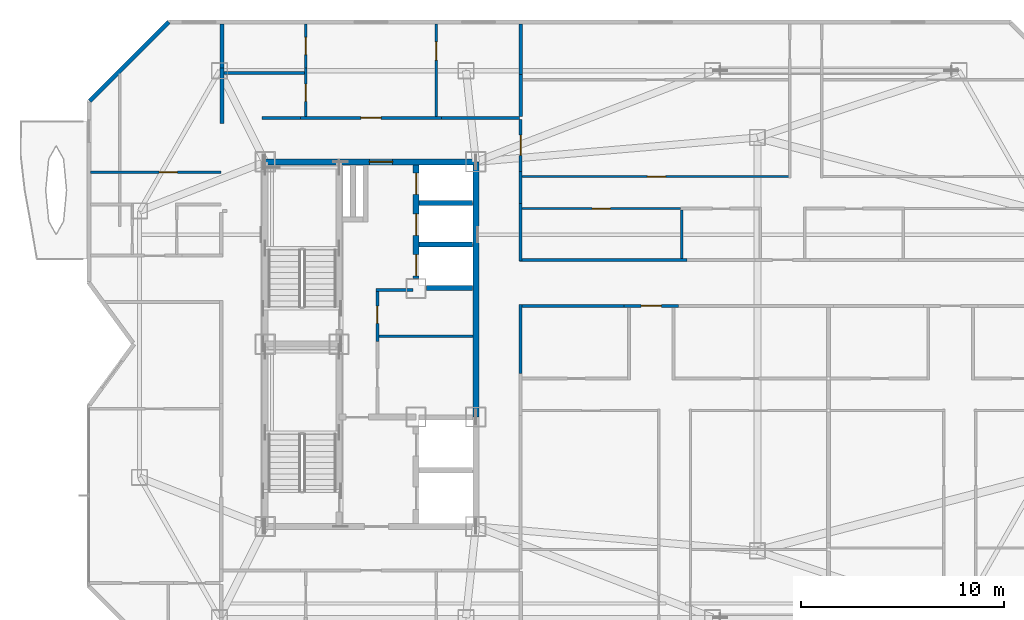
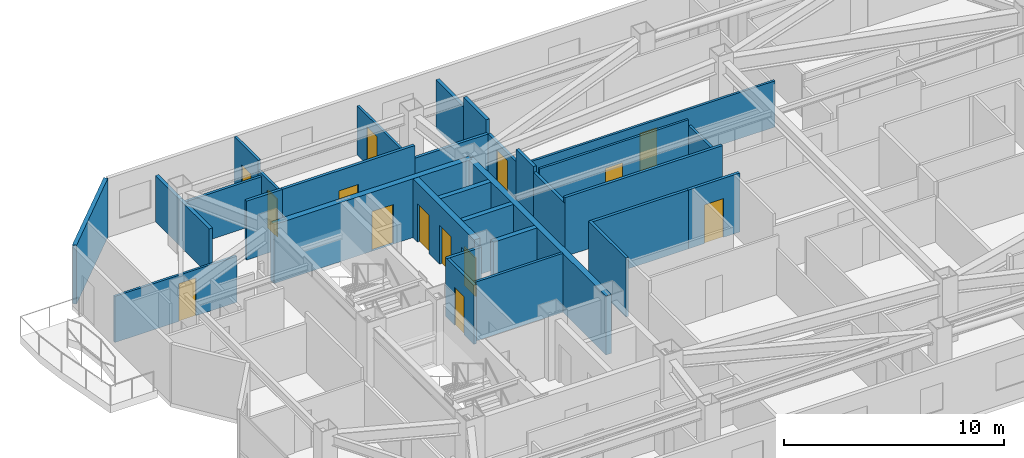
# One storey, part 10 of 14: 32 walls, 14 doors, 14 openings.
"""IFC4 building model written with IfcOpenShell, lengths in metres."""

from ifc_helpers import new_model, si_unit, direction, frame, frame_2d, origin, place, context, subcontext, project, spatial, rectangle, extrude, material, layer, layer_set, type_object, element, fill, save


model = new_model("IFC4")

# Units and contexts
model_context = context("Model", 3, precision=1e-05, world=origin(), true_north=direction((0.0, 1.0)))
body_context = subcontext(model_context, "Body", "Model", "MODEL_VIEW")
ifc_project = project(units=[si_unit("LENGTHUNIT", "METRE"), si_unit("AREAUNIT", "SQUARE_METRE"), si_unit("VOLUMEUNIT", "CUBIC_METRE"), si_unit("PLANEANGLEUNIT", "RADIAN"), si_unit("MASSUNIT", "GRAM", prefix="KILO")], contexts=[model_context])

# Site, building, storey
site_placement = place(None, origin())
site = spatial("IfcSite", under=ifc_project, at=site_placement, CompositionType="ELEMENT")
building_placement = place(site_placement, origin())
building = spatial("IfcBuilding", under=site, at=building_placement, Name="Khamvora Tower", CompositionType="ELEMENT")
storey_placement = place(building_placement, frame((0.0, 0.0, 261.0)))
storey = spatial("IfcBuildingStorey", under=building, at=storey_placement, Name="L67", CompositionType="ELEMENT", Elevation=261.0)

# Wall, opening, door
ifc_material_1 = material(Name="Concrete C50/60", Category="concrete")
ifc_layer_1 = layer(ifc_material_1, 0.300048828125)
ifc_layer_set_1 = layer_set([ifc_layer_1], Name="Concrete C50/60")
wall_type_1 = type_object("IfcWallType", Name="WAL-CORE-300", PredefinedType="SHEAR", material=ifc_layer_set_1)
wall_1_placement = place(storey_placement, frame((29.0, 37.0, 0.0), z_axis=(0.0, 0.0, 1.0), x_axis=(1.0, 0.0, 0.0)))
wall_1 = element("IfcWall", 1, at=wall_1_placement, inside=storey, type_object=wall_type_1, Name="L67 central core north wall", PredefinedType="SHEAR", context=body_context, shape_type="SweptSolid", body=[
    extrude(rectangle(XDim=10.39990234375, YDim=0.300048828125, at=frame_2d((5.199951171875, 0.0))), origin(), (0.0, 0.0, 1.0), 3.27001953125),
])
opening_1_placement = place(wall_1_placement, frame((5.139892578125, 0.0, 0.0)))
opening_1 = element("IfcOpeningElement", 2, at=opening_1_placement, cuts=wall_1, Name="Opening D-SC1", PredefinedType="OPENING", context=body_context, shape_type="SweptSolid", body=[
    extrude(rectangle(XDim=1.14990234375, YDim=2.199951171875, at=frame_2d((0.574951171875, 1.10009765625))), frame((0.0, 0.159912109375, 0.0), z_axis=(0.0, -1.0, 0.0), x_axis=(1.0, 0.0, 0.0)), (0.0, 0.0, 1.0), 0.320068359375),
])
ifc_material_2 = material(Name="Powder-Coated Steel and Hardwood Leaf", Category="steel")
door_type_1 = type_object("IfcDoorType", Name="DOR-SCHL-1150", OperationType="NOTDEFINED", PredefinedType="DOOR", material=ifc_material_2)
door_1_placement = place(opening_1_placement, origin())
door_1 = element("IfcDoor", 3, at=door_1_placement, inside=storey, type_object=door_type_1, Name="L67 north core lobby to corridor fire door", OperationType="SINGLE_SWING_RIGHT", OverallHeight=2.199951171875, OverallWidth=1.14990234375, PredefinedType="DOOR", context=body_context, shape_type="SweptSolid", body=[
    extrude(rectangle(XDim=1.14990234375, YDim=2.199951171875, at=frame_2d((0.574951171875, 1.10009765625))), frame((0.0, 0.02490234375, 0.0), z_axis=(0.0, -1.0, 0.0), x_axis=(1.0, 0.0, 0.0)), (0.0, 0.0, 1.0), 0.050048828125),
])
fill(opening_1, door_1)

# Wall
wall_2_placement = place(storey_placement, frame((39.39990234375, 24.39990234375, 0.0), z_axis=(0.0, 0.0, 1.0), x_axis=(0.0, 1.0, 0.0)))
element("IfcWall", 4, at=wall_2_placement, inside=storey, type_object=wall_type_1, Name="L67 central core east north wall", PredefinedType="SHEAR", context=body_context, shape_type="SweptSolid", body=[
    extrude(rectangle(XDim=12.60009765625, YDim=0.300048828125, at=frame_2d((6.300048828125, 0.0))), origin(), (0.0, 0.0, 1.0), 3.27001953125),
])

# Wall, openings, doors
wall_3_placement = place(storey_placement, frame((36.449951171875, 31.25, 0.0), z_axis=(0.0, 0.0, 1.0), x_axis=(0.0, 1.0, 0.0)))
wall_3 = element("IfcWall", 5, at=wall_3_placement, inside=storey, type_object=wall_type_1, Name="L67 central core lift bank central wall", PredefinedType="SHEAR", context=body_context, shape_type="SweptSolid", body=[
    extrude(rectangle(XDim=5.595947265625, YDim=0.300048828125, at=frame_2d((2.7978515625, 0.0))), origin(), (0.0, 0.0, 1.0), 3.27001953125),
])
opening_2_placement = place(wall_3_placement, frame((0.1201171875, 0.0, 0.0)))
opening_2 = element("IfcOpeningElement", 6, at=opening_2_placement, cuts=wall_3, Name="Opening LD-PL", PredefinedType="OPENING", context=body_context, shape_type="SweptSolid", body=[
    extrude(rectangle(XDim=1.050048828125, YDim=2.14990234375, at=frame_2d((0.52490234375, 1.074951171875))), frame((0.0, 0.159912109375, 0.0), z_axis=(0.0, -1.0, 0.0), x_axis=(1.0, 0.0, 0.0)), (0.0, 0.0, 1.0), 0.320068359375),
])
opening_3_placement = place(wall_3_placement, frame((2.125, 0.0, 0.0)))
opening_3 = element("IfcOpeningElement", 7, at=opening_3_placement, cuts=wall_3, Name="Opening LD-PL", PredefinedType="OPENING", context=body_context, shape_type="SweptSolid", body=[
    extrude(rectangle(XDim=1.050048828125, YDim=2.14990234375, at=frame_2d((0.52490234375, 1.074951171875))), frame((0.0, 0.159912109375, 0.0), z_axis=(0.0, -1.0, 0.0), x_axis=(1.0, 0.0, 0.0)), (0.0, 0.0, 1.0), 0.320068359375),
])
opening_4_placement = place(wall_3_placement, frame((4.14501953125, 0.0, 0.0)))
opening_4 = element("IfcOpeningElement", 8, at=opening_4_placement, cuts=wall_3, Name="Opening LD-PL", PredefinedType="OPENING", context=body_context, shape_type="SweptSolid", body=[
    extrude(rectangle(XDim=1.050048828125, YDim=2.14990234375, at=frame_2d((0.52490234375, 1.074951171875))), frame((0.0, 0.159912109375, 0.0), z_axis=(0.0, -1.0, 0.0), x_axis=(1.0, 0.0, 0.0)), (0.0, 0.0, 1.0), 0.320068359375),
])
door_type_2 = type_object("IfcDoorType", Name="DOR-LIFT-1050", OperationType="SLIDING_TO_LEFT", PredefinedType="DOOR", material=ifc_material_2)
door_2_placement = place(opening_2_placement, origin())
door_2 = element("IfcDoor", 9, at=door_2_placement, inside=storey, type_object=door_type_2, Name="L67 lift landing sliding door PH-01", OperationType="SLIDING_TO_LEFT", OverallHeight=2.14990234375, OverallWidth=1.050048828125, PredefinedType="DOOR", context=body_context, shape_type="SweptSolid", body=[
    extrude(rectangle(XDim=1.050048828125, YDim=2.14990234375, at=frame_2d((0.52490234375, 1.074951171875))), frame((0.0, 0.02490234375, 0.0), z_axis=(0.0, -1.0, 0.0), x_axis=(1.0, 0.0, 0.0)), (0.0, 0.0, 1.0), 0.050048828125),
])
fill(opening_2, door_2)
door_3_placement = place(opening_3_placement, origin())
door_3 = element("IfcDoor", 10, at=door_3_placement, inside=storey, type_object=door_type_2, Name="L67 lift landing sliding door PH-02", OperationType="SLIDING_TO_LEFT", OverallHeight=2.14990234375, OverallWidth=1.050048828125, PredefinedType="DOOR", context=body_context, shape_type="SweptSolid", body=[
    extrude(rectangle(XDim=1.050048828125, YDim=2.14990234375, at=frame_2d((0.52490234375, 1.074951171875))), frame((0.0, 0.02490234375, 0.0), z_axis=(0.0, -1.0, 0.0), x_axis=(1.0, 0.0, 0.0)), (0.0, 0.0, 1.0), 0.050048828125),
])
fill(opening_3, door_3)
door_4_placement = place(opening_4_placement, origin())
door_4 = element("IfcDoor", 11, at=door_4_placement, inside=storey, type_object=door_type_2, Name="L67 lift landing sliding door PH-03", OperationType="SLIDING_TO_LEFT", OverallHeight=2.14990234375, OverallWidth=1.050048828125, PredefinedType="DOOR", context=body_context, shape_type="SweptSolid", body=[
    extrude(rectangle(XDim=1.050048828125, YDim=2.14990234375, at=frame_2d((0.52490234375, 1.074951171875))), frame((0.0, 0.02490234375, 0.0), z_axis=(0.0, -1.0, 0.0), x_axis=(1.0, 0.0, 0.0)), (0.0, 0.0, 1.0), 0.050048828125),
])
fill(opening_4, door_4)

# Wall
ifc_material_3 = material(Name="Fire-Rated Drywall and Steel Stud", Category="steel")
ifc_layer_2 = layer(ifc_material_3, 0.14990234375)
ifc_layer_set_2 = layer_set([ifc_layer_2], Name="Fire-Rated Drywall and Steel Stud")
wall_type_2 = type_object("IfcWallType", Name="WAL-CORR-150", PredefinedType="STANDARD", material=ifc_layer_set_2)
wall_4_placement = place(storey_placement, frame((36.300048828125, 30.6650390625, 0.0), z_axis=(0.0, 0.0, 1.0), x_axis=(-1.0, 0.0, 0.0)))
element("IfcWall", 12, at=wall_4_placement, inside=storey, type_object=wall_type_2, Name="L67 interior partition wall 001", PredefinedType="STANDARD", context=body_context, shape_type="SweptSolid", body=[
    extrude(rectangle(XDim=1.820068359375, YDim=0.14990234375, at=frame_2d((0.91015625, 0.0))), origin(), (0.0, 0.0, 1.0), 3.27001953125),
])

# Wall, opening, door
wall_5_placement = place(storey_placement, frame((34.544921875, 30.72998046875, 0.0), z_axis=(0.0, 0.0, 1.0), x_axis=(0.0, -1.0, 0.0)))
wall_5 = element("IfcWall", 13, at=wall_5_placement, inside=storey, type_object=wall_type_2, Name="L67 interior partition wall 002", PredefinedType="STANDARD", context=body_context, shape_type="SweptSolid", body=[
    extrude(rectangle(XDim=2.593994140625, YDim=0.14990234375, at=frame_2d((1.296875, 0.0))), origin(), (0.0, 0.0, 1.0), 3.27001953125),
])
opening_5_placement = place(wall_5_placement, frame((0.85107421875, 0.0, 0.0)))
opening_5 = element("IfcOpeningElement", 14, at=opening_5_placement, cuts=wall_5, Name="Opening D-WC1", PredefinedType="OPENING", context=body_context, shape_type="SweptSolid", body=[
    extrude(rectangle(XDim=0.85009765625, YDim=2.10009765625, at=frame_2d((0.425048828125, 1.050048828125))), frame((0.0, 0.0849609375, 0.0), z_axis=(0.0, -1.0, 0.0), x_axis=(1.0, 0.0, 0.0)), (0.0, 0.0, 1.0), 0.169921875),
])
door_type_3 = type_object("IfcDoorType", Name="DOR-WET-850", OperationType="NOTDEFINED", PredefinedType="DOOR", material=ifc_material_2)
door_5_placement = place(opening_5_placement, origin())
door_5 = element("IfcDoor", 15, at=door_5_placement, inside=storey, type_object=door_type_3, Name="L67 interior door PHL-CS1", OperationType="SINGLE_SWING_LEFT", OverallHeight=2.10009765625, OverallWidth=0.85009765625, PredefinedType="DOOR", context=body_context, shape_type="SweptSolid", body=[
    extrude(rectangle(XDim=0.85009765625, YDim=2.10009765625, at=frame_2d((0.425048828125, 1.050048828125))), frame((0.0, 0.02490234375, 0.0), z_axis=(0.0, -1.0, 0.0), x_axis=(1.0, 0.0, 0.0)), (0.0, 0.0, 1.0), 0.050048828125),
])
fill(opening_5, door_5)

wall_6_placement = place(storey_placement, frame((30.7509765625, 39.1650390625, 0.0), z_axis=(0.0, 0.0, 1.0), x_axis=(1.0, 0.0, 0.0)))
wall_6 = element("IfcWall", 16, at=wall_6_placement, inside=storey, type_object=wall_type_2, Name="L67 interior partition wall 015", PredefinedType="STANDARD", context=body_context, shape_type="SweptSolid", body=[
    extrude(rectangle(XDim=6.947998046875, YDim=0.14990234375, at=frame_2d((3.47412109375, 0.0))), origin(), (0.0, 0.0, 1.0), 3.27001953125),
])
opening_6_placement = place(wall_6_placement, frame((2.97412109375, 0.0, 0.0)))
opening_6 = element("IfcOpeningElement", 17, at=opening_6_placement, cuts=wall_6, Name="Opening D-U1", PredefinedType="OPENING", context=body_context, shape_type="SweptSolid", body=[
    extrude(rectangle(XDim=1.0, YDim=2.14990234375, at=frame_2d((0.5, 1.074951171875))), frame((0.0, 0.0849609375, 0.0), z_axis=(0.0, -1.0, 0.0), x_axis=(1.0, 0.0, 0.0)), (0.0, 0.0, 1.0), 0.169921875),
])
door_type_4 = type_object("IfcDoorType", Name="DOR-UNIT-1000", OperationType="NOTDEFINED", PredefinedType="DOOR", material=ifc_material_2)
door_6_placement = place(opening_6_placement, origin())
door_6 = element("IfcDoor", 18, at=door_6_placement, inside=storey, type_object=door_type_4, Name="L67 interior door COR-67NAH", OperationType="SINGLE_SWING_RIGHT", OverallHeight=2.14990234375, OverallWidth=1.0, PredefinedType="DOOR", context=body_context, shape_type="SweptSolid", body=[
    extrude(rectangle(XDim=1.0, YDim=2.14990234375, at=frame_2d((0.5, 1.074951171875))), frame((0.0, 0.02490234375, 0.0), z_axis=(0.0, -1.0, 0.0), x_axis=(1.0, 0.0, 0.0)), (0.0, 0.0, 1.0), 0.050048828125),
])
fill(opening_6, door_6)

# Walls
wall_7_placement = place(storey_placement, frame((28.85009765625, 39.1650390625, 0.0), z_axis=(0.0, 0.0, 1.0), x_axis=(1.0, 0.0, 0.0)))
element("IfcWall", 19, at=wall_7_placement, inside=storey, type_object=wall_type_2, Name="L67 interior partition wall 016", PredefinedType="STANDARD", context=body_context, shape_type="SweptSolid", body=[
    extrude(rectangle(XDim=1.90087890625, YDim=0.14990234375, at=frame_2d((0.950439453125, 0.0))), origin(), (0.0, 0.0, 1.0), 3.27001953125),
])
wall_8_placement = place(storey_placement, frame((37.698974609375, 39.1650390625, 0.0), z_axis=(0.0, 0.0, 1.0), x_axis=(1.0, 0.0, 0.0)))
element("IfcWall", 20, at=wall_8_placement, inside=storey, type_object=wall_type_2, Name="L67 interior partition wall 017", PredefinedType="STANDARD", context=body_context, shape_type="SweptSolid", body=[
    extrude(rectangle(XDim=3.85107421875, YDim=0.14990234375, at=frame_2d((1.925537109375, 0.0))), origin(), (0.0, 0.0, 1.0), 2.56494140625),
])

# Wall, opening, door
wall_9_placement = place(storey_placement, frame((49.408935546875, 29.885009765625, 0.0), z_axis=(0.0, 0.0, 1.0), x_axis=(-1.0, 0.0, 0.0)))
wall_9 = element("IfcWall", 21, at=wall_9_placement, inside=storey, type_object=wall_type_2, Name="L67 interior partition wall 018", PredefinedType="STANDARD", context=body_context, shape_type="SweptSolid", body=[
    extrude(rectangle(XDim=2.697998046875, YDim=0.14990234375, at=frame_2d((1.34912109375, 0.0))), origin(), (0.0, 0.0, 1.0), 3.27001953125),
])
opening_7_placement = place(wall_9_placement, frame((0.84912109375, 0.0, 0.0)))
opening_7 = element("IfcOpeningElement", 22, at=opening_7_placement, cuts=wall_9, Name="Opening D-U1", PredefinedType="OPENING", context=body_context, shape_type="SweptSolid", body=[
    extrude(rectangle(XDim=1.0, YDim=2.14990234375, at=frame_2d((0.5, 1.074951171875))), frame((0.0, 0.0849609375, 0.0), z_axis=(0.0, -1.0, 0.0), x_axis=(1.0, 0.0, 0.0)), (0.0, 0.0, 1.0), 0.169921875),
])
door_7_placement = place(opening_7_placement, origin())
door_7 = element("IfcDoor", 23, at=door_7_placement, inside=storey, type_object=door_type_4, Name="L67 interior door COR-67EA1H", OperationType="SINGLE_SWING_LEFT", OverallHeight=2.14990234375, OverallWidth=1.0, PredefinedType="DOOR", context=body_context, shape_type="SweptSolid", body=[
    extrude(rectangle(XDim=1.0, YDim=2.14990234375, at=frame_2d((0.5, 1.074951171875))), frame((0.0, 0.02490234375, 0.0), z_axis=(0.0, -1.0, 0.0), x_axis=(1.0, 0.0, 0.0)), (0.0, 0.0, 1.0), 0.050048828125),
])
fill(opening_7, door_7)

# Walls
wall_10_placement = place(storey_placement, frame((46.7109375, 29.885009765625, 0.0), z_axis=(0.0, 0.0, 1.0), x_axis=(-1.0, 0.0, 0.0)))
element("IfcWall", 24, at=wall_10_placement, inside=storey, type_object=wall_type_2, Name="L67 interior partition wall 020", PredefinedType="STANDARD", context=body_context, shape_type="SweptSolid", body=[
    extrude(rectangle(XDim=5.160888671875, YDim=0.14990234375, at=frame_2d((2.58056640625, 0.0))), origin(), (0.0, 0.0, 1.0), 3.27001953125),
])
wall_11_placement = place(storey_placement, frame((41.614990234375, 29.947998046875, 0.0), z_axis=(0.0, 0.0, 1.0), x_axis=(0.0, -1.0, 0.0)))
element("IfcWall", 25, at=wall_11_placement, inside=storey, type_object=wall_type_2, Name="L67 interior partition wall 021", PredefinedType="STANDARD", context=body_context, shape_type="SweptSolid", body=[
    extrude(rectangle(XDim=3.39404296875, YDim=0.14990234375, at=frame_2d((1.697021484375, 0.0))), origin(), (0.0, 0.0, 1.0), 3.27001953125),
])
wall_12_placement = place(storey_placement, frame((41.614990234375, 34.944091796875, 0.0), z_axis=(0.0, 0.0, 1.0), x_axis=(0.0, -1.0, 0.0)))
element("IfcWall", 26, at=wall_12_placement, inside=storey, type_object=wall_type_2, Name="L67 interior partition wall 028", PredefinedType="STANDARD", context=body_context, shape_type="SweptSolid", body=[
    extrude(rectangle(XDim=2.843994140625, YDim=0.14990234375, at=frame_2d((1.421875, 0.0))), origin(), (0.0, 0.0, 1.0), 2.947021484375),
])
wall_13_placement = place(storey_placement, frame((41.550048828125, 32.1650390625, 0.0), z_axis=(0.0, 0.0, 1.0), x_axis=(1.0, 0.0, 0.0)))
element("IfcWall", 27, at=wall_13_placement, inside=storey, type_object=wall_type_2, Name="L67 interior partition wall 029", PredefinedType="STANDARD", context=body_context, shape_type="SweptSolid", body=[
    extrude(rectangle(XDim=8.26904296875, YDim=0.14990234375, at=frame_2d((4.134521484375, 0.0))), origin(), (0.0, 0.0, 1.0), 3.27001953125),
])
wall_14_placement = place(storey_placement, frame((41.614990234375, 36.52392578125, 0.0), z_axis=(0.0, 0.0, 1.0), x_axis=(0.0, -1.0, 0.0)))
element("IfcWall", 28, at=wall_14_placement, inside=storey, type_object=wall_type_2, Name="L67 interior partition wall 031", PredefinedType="STANDARD", context=body_context, shape_type="SweptSolid", body=[
    extrude(rectangle(XDim=1.579833984375, YDim=0.14990234375, at=frame_2d((0.7900390625, 0.0))), origin(), (0.0, 0.0, 1.0), 3.27001953125),
])

# Wall, opening, door
wall_15_placement = place(storey_placement, frame((41.614990234375, 39.10009765625, 0.0), z_axis=(0.0, 0.0, 1.0), x_axis=(0.0, -1.0, 0.0)))
wall_15 = element("IfcWall", 29, at=wall_15_placement, inside=storey, type_object=wall_type_2, Name="L67 interior partition wall 035", PredefinedType="STANDARD", context=body_context, shape_type="SweptSolid", body=[
    extrude(rectangle(XDim=2.576171875, YDim=0.14990234375, at=frame_2d((1.2880859375, 0.0))), origin(), (0.0, 0.0, 1.0), 2.56494140625),
])
opening_8_placement = place(wall_15_placement, frame((0.7880859375, 0.0, 0.0)))
opening_8 = element("IfcOpeningElement", 30, at=opening_8_placement, cuts=wall_15, Name="Opening D-U1", PredefinedType="OPENING", context=body_context, shape_type="SweptSolid", body=[
    extrude(rectangle(XDim=1.0, YDim=2.14990234375, at=frame_2d((0.5, 1.074951171875))), frame((0.0, 0.0849609375, 0.0), z_axis=(0.0, -1.0, 0.0), x_axis=(1.0, 0.0, 0.0)), (0.0, 0.0, 1.0), 0.169921875),
])
door_8_placement = place(opening_8_placement, origin())
door_8 = element("IfcDoor", 31, at=door_8_placement, inside=storey, type_object=door_type_4, Name="L67 interior door COR-67EBR1", OperationType="SINGLE_SWING_RIGHT", OverallHeight=2.14990234375, OverallWidth=1.0, PredefinedType="DOOR", context=body_context, shape_type="SweptSolid", body=[
    extrude(rectangle(XDim=1.0, YDim=2.14990234375, at=frame_2d((0.5, 1.074951171875))), frame((0.0, 0.02490234375, 0.0), z_axis=(0.0, -1.0, 0.0), x_axis=(1.0, 0.0, 0.0)), (0.0, 0.0, 1.0), 0.050048828125),
])
fill(opening_8, door_8)

# Walls
ifc_material_4 = material(Name="Acoustic Double-Stud Fire Wall", Category="gypsum")
ifc_layer_3 = layer(ifc_material_4, 0.179931640625)
ifc_layer_set_3 = layer_set([ifc_layer_3], Name="Acoustic Double-Stud Fire Wall")
wall_type_3 = type_object("IfcWallType", Name="WAL-CORR-180", PredefinedType="STANDARD", material=ifc_layer_set_3)
wall_16_placement = place(storey_placement, frame((26.875, 41.64306640625, 0.0), z_axis=(0.0, 0.0, 1.0), x_axis=(0.0, -1.0, 0.0)))
element("IfcWall", 32, at=wall_16_placement, inside=storey, type_object=wall_type_3, Name="L67 interior partition wall 049", PredefinedType="STANDARD", context=body_context, shape_type="SweptSolid", body=[
    extrude(rectangle(XDim=2.740966796875, YDim=0.179931640625, at=frame_2d((1.37060546875, 0.0))), origin(), (0.0, 0.0, 1.0), 2.56494140625),
])
wall_17_placement = place(storey_placement, frame((26.875, 43.80810546875, 0.0), z_axis=(0.0, 0.0, 1.0), x_axis=(0.0, -1.0, 0.0)))
element("IfcWall", 33, at=wall_17_placement, inside=storey, type_object=wall_type_3, Name="L67 interior partition wall 050", PredefinedType="STANDARD", context=body_context, shape_type="SweptSolid", body=[
    extrude(rectangle(XDim=2.1650390625, YDim=0.179931640625, at=frame_2d((1.08251953125, 0.0))), origin(), (0.0, 0.0, 1.0), 2.56494140625),
])
wall_18_placement = place(storey_placement, frame((41.614990234375, 41.301025390625, 0.0), z_axis=(0.0, 0.0, 1.0), x_axis=(0.0, -1.0, 0.0)))
element("IfcWall", 34, at=wall_18_placement, inside=storey, type_object=wall_type_3, Name="L67 interior partition wall 060", PredefinedType="STANDARD", context=body_context, shape_type="SweptSolid", body=[
    extrude(rectangle(XDim=2.071044921875, YDim=0.179931640625, at=frame_2d((1.03564453125, 0.0))), origin(), (0.0, 0.0, 1.0), 3.27001953125),
])
wall_19_placement = place(storey_placement, frame((41.614990234375, 43.80810546875, 0.0), z_axis=(0.0, 0.0, 1.0), x_axis=(0.0, -1.0, 0.0)))
element("IfcWall", 35, at=wall_19_placement, inside=storey, type_object=wall_type_3, Name="L67 interior partition wall 061", PredefinedType="STANDARD", context=body_context, shape_type="SweptSolid", body=[
    extrude(rectangle(XDim=2.507080078125, YDim=0.179931640625, at=frame_2d((1.25341796875, 0.0))), origin(), (0.0, 0.0, 1.0), 2.72705078125),
])
ifc_material_5 = material(Name="Precast concrete C40/50", Category="concrete")
ifc_layer_4 = layer(ifc_material_5, 0.199951171875)
ifc_layer_set_4 = layer_set([ifc_layer_4], Name="Precast concrete C40/50")
wall_type_4 = type_object("IfcWallType", Name="WAL-EXT-200", PredefinedType="STANDARD", material=ifc_layer_set_4)
wall_20_placement = place(storey_placement, frame((20.343994140625, 40.0029296875, 0.0), z_axis=(0.0, 0.0, 1.0), x_axis=(0.707106781187, 0.707106781187, 0.0)))
element("IfcWall", 36, at=wall_20_placement, inside=storey, type_object=wall_type_4, Name="L67 exterior facade wall 06.1", PredefinedType="STANDARD", context=body_context, shape_type="SweptSolid", body=[
    extrude(rectangle(XDim=5.51123046875, YDim=0.199951171875, at=frame_2d((2.755615234375, 0.0))), origin(), (0.0, 0.0, 1.0), 3.27001953125),
])

# Wall, opening, door
ifc_material_6 = material(Name="Gypsum Plasterboard Partition", Category="gypsum")
ifc_layer_5 = layer(ifc_material_6, 0.1201171875)
ifc_layer_set_5 = layer_set([ifc_layer_5], Name="Gypsum Plasterboard Partition")
wall_type_5 = type_object("IfcWallType", Name="WAL-PART-120", PredefinedType="PARTITIONING", material=ifc_layer_set_5)
wall_21_placement = place(storey_placement, frame((20.39208984375, 36.47802734375, 0.0), z_axis=(0.0, 0.0, 1.0), x_axis=(1.0, 0.0, 0.0)))
wall_21 = element("IfcWall", 37, at=wall_21_placement, inside=storey, type_object=wall_type_5, Name="L67 interior partition wall 048", PredefinedType="PARTITIONING", context=body_context, shape_type="SweptSolid", body=[
    extrude(rectangle(XDim=6.41796875, YDim=0.1201171875, at=frame_2d((3.208984375, 0.0))), origin(), (0.0, 0.0, 1.0), 2.56494140625),
])
opening_9_placement = place(wall_21_placement, frame((3.3720703125, 0.0, 0.0)))
opening_9 = element("IfcOpeningElement", 38, at=opening_9_placement, cuts=wall_21, Name="Opening D-RM1", PredefinedType="OPENING", context=body_context, shape_type="SweptSolid", body=[
    extrude(rectangle(XDim=0.89990234375, YDim=2.10009765625, at=frame_2d((0.449951171875, 1.050048828125))), frame((0.0, 0.070068359375, 0.0), z_axis=(0.0, -1.0, 0.0), x_axis=(1.0, 0.0, 0.0)), (0.0, 0.0, 1.0), 0.14013671875),
])
door_type_5 = type_object("IfcDoorType", Name="DOR-ROOM-900", OperationType="NOTDEFINED", PredefinedType="DOOR", material=ifc_material_2)
door_9_placement = place(opening_9_placement, origin())
door_9 = element("IfcDoor", 39, at=door_9_placement, inside=storey, type_object=door_type_5, Name="L67 interior door 67WBH-67WBR1", OperationType="SINGLE_SWING_LEFT", OverallHeight=2.10009765625, OverallWidth=0.89990234375, PredefinedType="DOOR", context=body_context, shape_type="SweptSolid", body=[
    extrude(rectangle(XDim=0.89990234375, YDim=2.10009765625, at=frame_2d((0.449951171875, 1.050048828125))), frame((0.0, 0.02490234375, 0.0), z_axis=(0.0, -1.0, 0.0), x_axis=(1.0, 0.0, 0.0)), (0.0, 0.0, 1.0), 0.050048828125),
])
fill(opening_9, door_9)

wall_22_placement = place(storey_placement, frame((37.449951171875, 43.80810546875, 0.0), z_axis=(0.0, 0.0, 1.0), x_axis=(0.0, -1.0, 0.0)))
wall_22 = element("IfcWall", 40, at=wall_22_placement, inside=storey, type_object=wall_type_5, Name="L67 interior partition wall 058", PredefinedType="PARTITIONING", context=body_context, shape_type="SweptSolid", body=[
    extrude(rectangle(XDim=4.576171875, YDim=0.1201171875, at=frame_2d((2.2880859375, 0.0))), origin(), (0.0, 0.0, 1.0), 2.72705078125),
])
opening_10_placement = place(wall_22_placement, frame((0.884033203125, 0.0, 0.0)))
opening_10 = element("IfcOpeningElement", 41, at=opening_10_placement, cuts=wall_22, Name="Opening D-RM1", PredefinedType="OPENING", context=body_context, shape_type="SweptSolid", body=[
    extrude(rectangle(XDim=0.89990234375, YDim=2.10009765625, at=frame_2d((0.449951171875, 1.050048828125))), frame((0.0, 0.070068359375, 0.0), z_axis=(0.0, -1.0, 0.0), x_axis=(1.0, 0.0, 0.0)), (0.0, 0.0, 1.0), 0.14013671875),
])
door_10_placement = place(opening_10_placement, origin())
door_10 = element("IfcDoor", 42, at=door_10_placement, inside=storey, type_object=door_type_5, Name="L67 interior door 67NAH-67NAR1", OperationType="SINGLE_SWING_LEFT", OverallHeight=2.10009765625, OverallWidth=0.89990234375, PredefinedType="DOOR", context=body_context, shape_type="SweptSolid", body=[
    extrude(rectangle(XDim=0.89990234375, YDim=2.10009765625, at=frame_2d((0.449951171875, 1.050048828125))), frame((0.0, 0.02490234375, 0.0), z_axis=(0.0, -1.0, 0.0), x_axis=(1.0, 0.0, 0.0)), (0.0, 0.0, 1.0), 0.050048828125),
])
fill(opening_10, door_10)

wall_23_placement = place(storey_placement, frame((41.681884765625, 34.695068359375, 0.0), z_axis=(0.0, 0.0, 1.0), x_axis=(1.0, 0.0, 0.0)))
wall_23 = element("IfcWall", 43, at=wall_23_placement, inside=storey, type_object=wall_type_5, Name="L67 interior partition wall 091", PredefinedType="PARTITIONING", context=body_context, shape_type="SweptSolid", body=[
    extrude(rectangle(XDim=7.822998046875, YDim=0.1201171875, at=frame_2d((3.91162109375, 0.0))), origin(), (0.0, 0.0, 1.0), 3.27001953125),
])
opening_11_placement = place(wall_23_placement, frame((3.4619140625, 0.0, 0.0)))
opening_11 = element("IfcOpeningElement", 44, at=opening_11_placement, cuts=wall_23, Name="Opening D-RM1", PredefinedType="OPENING", context=body_context, shape_type="SweptSolid", body=[
    extrude(rectangle(XDim=0.89990234375, YDim=2.10009765625, at=frame_2d((0.449951171875, 1.050048828125))), frame((0.0, 0.070068359375, 0.0), z_axis=(0.0, -1.0, 0.0), x_axis=(1.0, 0.0, 0.0)), (0.0, 0.0, 1.0), 0.14013671875),
])
door_11_placement = place(opening_11_placement, origin())
door_11 = element("IfcDoor", 45, at=door_11_placement, inside=storey, type_object=door_type_5, Name="L67 interior door 67EBW1-67EBH", OperationType="SINGLE_SWING_RIGHT", OverallHeight=2.10009765625, OverallWidth=0.89990234375, PredefinedType="DOOR", context=body_context, shape_type="SweptSolid", body=[
    extrude(rectangle(XDim=0.89990234375, YDim=2.10009765625, at=frame_2d((0.449951171875, 1.050048828125))), frame((0.0, 0.02490234375, 0.0), z_axis=(0.0, -1.0, 0.0), x_axis=(1.0, 0.0, 0.0)), (0.0, 0.0, 1.0), 0.050048828125),
])
fill(opening_11, door_11)

wall_24_placement = place(storey_placement, frame((41.681884765625, 36.27490234375, 0.0), z_axis=(0.0, 0.0, 1.0), x_axis=(1.0, 0.0, 0.0)))
wall_24 = element("IfcWall", 46, at=wall_24_placement, inside=storey, type_object=wall_type_5, Name="L67 interior partition wall 099", PredefinedType="PARTITIONING", context=body_context, shape_type="SweptSolid", body=[
    extrude(rectangle(XDim=13.283203125, YDim=0.1201171875, at=frame_2d((6.6416015625, 0.0))), origin(), (0.0, 0.0, 1.0), 2.56494140625),
])
opening_12_placement = place(wall_24_placement, frame((6.19091796875, 0.0, 0.0)))
opening_12 = element("IfcOpeningElement", 47, at=opening_12_placement, cuts=wall_24, Name="Opening D-RM1", PredefinedType="OPENING", context=body_context, shape_type="SweptSolid", body=[
    extrude(rectangle(XDim=0.89990234375, YDim=2.10009765625, at=frame_2d((0.449951171875, 1.050048828125))), frame((0.0, 0.070068359375, 0.0), z_axis=(0.0, -1.0, 0.0), x_axis=(1.0, 0.0, 0.0)), (0.0, 0.0, 1.0), 0.14013671875),
])
door_12_placement = place(opening_12_placement, origin())
door_12 = element("IfcDoor", 48, at=door_12_placement, inside=storey, type_object=door_type_5, Name="L67 interior door 67EBH-67EBR1", OperationType="SINGLE_SWING_RIGHT", OverallHeight=2.10009765625, OverallWidth=0.89990234375, PredefinedType="DOOR", context=body_context, shape_type="SweptSolid", body=[
    extrude(rectangle(XDim=0.89990234375, YDim=2.10009765625, at=frame_2d((0.449951171875, 1.050048828125))), frame((0.0, 0.02490234375, 0.0), z_axis=(0.0, -1.0, 0.0), x_axis=(1.0, 0.0, 0.0)), (0.0, 0.0, 1.0), 0.050048828125),
])
fill(opening_12, door_12)

# Walls
ifc_material_7 = material(Name="Concrete C40/50", Category="concrete")
ifc_layer_6 = layer(ifc_material_7, 0.25)
ifc_layer_set_6 = layer_set([ifc_layer_6], Name="Concrete C40/50")
wall_type_6 = type_object("IfcWallType", Name="WAL-PODS-250", PredefinedType="SHEAR", material=ifc_layer_set_6)
wall_25_placement = place(storey_placement, frame((36.9541015625, 30.77490234375, 0.0), z_axis=(0.0, 0.0, 1.0), x_axis=(1.0, 0.0, 0.0)))
element("IfcWall", 49, at=wall_25_placement, inside=storey, type_object=wall_type_6, Name="L67 high-rise lift shaft south enclosure wall PH-01", PredefinedType="SHEAR", context=body_context, shape_type="SweptSolid", body=[
    extrude(rectangle(XDim=2.2919921875, YDim=0.25, at=frame_2d((1.14599609375, 0.0))), origin(), (0.0, 0.0, 1.0), 3.27001953125),
])
for number, where, z_axis, x_axis, name in (
    (50, (36.60400390625, 32.925048828125, 0.0), (0.0, 0.0, 1.0), (1.0, 0.0, 0.0), "L67 lift shaft divider wall PH-01"),
    (51, (36.60400390625, 34.97509765625, 0.0), (0.0, 0.0, 1.0), (1.0, 0.0, 0.0), "L67 lift shaft divider wall PH-02"),
):
    element("IfcWall", number, at=place(storey_placement, frame(where, z_axis=z_axis, x_axis=x_axis)), inside=storey, type_object=wall_type_6, Name=name, PredefinedType="SHEAR", context=body_context, shape_type="SweptSolid", body=[
        extrude(rectangle(XDim=2.64208984375, YDim=0.25, at=frame_2d((1.321044921875, 0.0))), origin(), (0.0, 0.0, 1.0), 3.27001953125),
    ])
ifc_material_8 = material(Name="Moisture-Resistant Plasterboard Partition", Category="gypsum")
ifc_layer_7 = layer(ifc_material_8, 0.135009765625)
ifc_layer_set_7 = layer_set([ifc_layer_7], Name="Moisture-Resistant Plasterboard Partition")
wall_type_7 = type_object("IfcWallType", Name="WAL-WET-135", PredefinedType="PARTITIONING", material=ifc_layer_set_7)
wall_26_placement = place(storey_placement, frame((39.256103515625, 28.385009765625, 0.0), z_axis=(0.0, 0.0, 1.0), x_axis=(-1.0, 0.0, 0.0)))
element("IfcWall", 52, at=wall_26_placement, inside=storey, type_object=wall_type_7, Name="L67 interior partition wall 004", PredefinedType="PARTITIONING", context=body_context, shape_type="SweptSolid", body=[
    extrude(rectangle(XDim=4.64404296875, YDim=0.135009765625, at=frame_2d((2.322021484375, 0.0))), origin(), (0.0, 0.0, 1.0), 3.27001953125),
])

# Wall, opening, door
wall_27_placement = place(storey_placement, frame((31.0, 39.23193359375, 0.0), z_axis=(0.0, 0.0, 1.0), x_axis=(0.0, 1.0, 0.0)))
wall_27 = element("IfcWall", 53, at=wall_27_placement, inside=storey, type_object=wall_type_7, Name="L67 interior partition wall 056", PredefinedType="PARTITIONING", context=body_context, shape_type="SweptSolid", body=[
    extrude(rectangle(XDim=2.39697265625, YDim=0.135009765625, at=frame_2d((1.198486328125, 0.0))), origin(), (0.0, 0.0, 1.0), 2.72705078125),
])
opening_13_placement = place(wall_27_placement, frame((0.751953125, 0.0, 0.0)))
opening_13 = element("IfcOpeningElement", 54, at=opening_13_placement, cuts=wall_27, Name="Opening D-WC1", PredefinedType="OPENING", context=body_context, shape_type="SweptSolid", body=[
    extrude(rectangle(XDim=0.85009765625, YDim=2.10009765625, at=frame_2d((0.425048828125, 1.050048828125))), frame((0.0, 0.077392578125, 0.0), z_axis=(0.0, -1.0, 0.0), x_axis=(1.0, 0.0, 0.0)), (0.0, 0.0, 1.0), 0.155029296875),
])
door_13_placement = place(opening_13_placement, origin())
door_13 = element("IfcDoor", 55, at=door_13_placement, inside=storey, type_object=door_type_3, Name="L67 interior door 67NAH-67NAB", OperationType="SINGLE_SWING_RIGHT", OverallHeight=2.10009765625, OverallWidth=0.85009765625, PredefinedType="DOOR", context=body_context, shape_type="SweptSolid", body=[
    extrude(rectangle(XDim=0.85009765625, YDim=2.10009765625, at=frame_2d((0.425048828125, 1.050048828125))), frame((0.0, 0.02490234375, 0.0), z_axis=(0.0, -1.0, 0.0), x_axis=(1.0, 0.0, 0.0)), (0.0, 0.0, 1.0), 0.050048828125),
])
fill(opening_13, door_13)

wall_28_placement = place(storey_placement, frame((31.0, 41.62890625, 0.0), z_axis=(0.0, 0.0, 1.0), x_axis=(0.0, 1.0, 0.0)))
wall_28 = element("IfcWall", 56, at=wall_28_placement, inside=storey, type_object=wall_type_7, Name="L67 interior partition wall 057", PredefinedType="PARTITIONING", context=body_context, shape_type="SweptSolid", body=[
    extrude(rectangle(XDim=2.17919921875, YDim=0.135009765625, at=frame_2d((1.089599609375, 0.0))), origin(), (0.0, 0.0, 1.0), 3.27001953125),
])
opening_14_placement = place(wall_28_placement, frame((0.6640625, 0.0, 0.0)))
opening_14 = element("IfcOpeningElement", 57, at=opening_14_placement, cuts=wall_28, Name="Opening D-RM2", PredefinedType="OPENING", context=body_context, shape_type="SweptSolid", body=[
    extrude(rectangle(XDim=0.85009765625, YDim=2.10009765625, at=frame_2d((0.425048828125, 1.050048828125))), frame((0.0, 0.077392578125, 0.0), z_axis=(0.0, -1.0, 0.0), x_axis=(1.0, 0.0, 0.0)), (0.0, 0.0, 1.0), 0.155029296875),
])
door_type_6 = type_object("IfcDoorType", Name="DOR-ROOM-850", OperationType="NOTDEFINED", PredefinedType="DOOR", material=ifc_material_2)
door_14_placement = place(opening_14_placement, origin())
door_14 = element("IfcDoor", 58, at=door_14_placement, inside=storey, type_object=door_type_6, Name="L67 interior door 67NAH-67NAK", OperationType="SINGLE_SWING_LEFT", OverallHeight=2.10009765625, OverallWidth=0.85009765625, PredefinedType="DOOR", context=body_context, shape_type="SweptSolid", body=[
    extrude(rectangle(XDim=0.85009765625, YDim=2.10009765625, at=frame_2d((0.425048828125, 1.050048828125))), frame((0.0, 0.02490234375, 0.0), z_axis=(0.0, -1.0, 0.0), x_axis=(1.0, 0.0, 0.0)), (0.0, 0.0, 1.0), 0.050048828125),
])
fill(opening_14, door_14)

# Walls
wall_29_placement = place(storey_placement, frame((26.95703125, 41.3798828125, 0.0), z_axis=(0.0, 0.0, 1.0), x_axis=(1.0, 0.0, 0.0)))
element("IfcWall", 59, at=wall_29_placement, inside=storey, type_object=wall_type_7, Name="L67 interior partition wall 059", PredefinedType="PARTITIONING", context=body_context, shape_type="SweptSolid", body=[
    extrude(rectangle(XDim=3.98193359375, YDim=0.135009765625, at=frame_2d((1.990966796875, 0.0))), origin(), (0.0, 0.0, 1.0), 2.56494140625),
])
wall_30_placement = place(storey_placement, frame((49.570068359375, 34.6298828125, 0.0), z_axis=(0.0, 0.0, 1.0), x_axis=(0.0, -1.0, 0.0)))
element("IfcWall", 60, at=wall_30_placement, inside=storey, type_object=wall_type_7, Name="L67 interior partition wall 092", PredefinedType="PARTITIONING", context=body_context, shape_type="SweptSolid", body=[
    extrude(rectangle(XDim=2.39794921875, YDim=0.135009765625, at=frame_2d((1.198974609375, 0.0))), origin(), (0.0, 0.0, 1.0), 2.947021484375),
])

save(model, "model.ifc")
